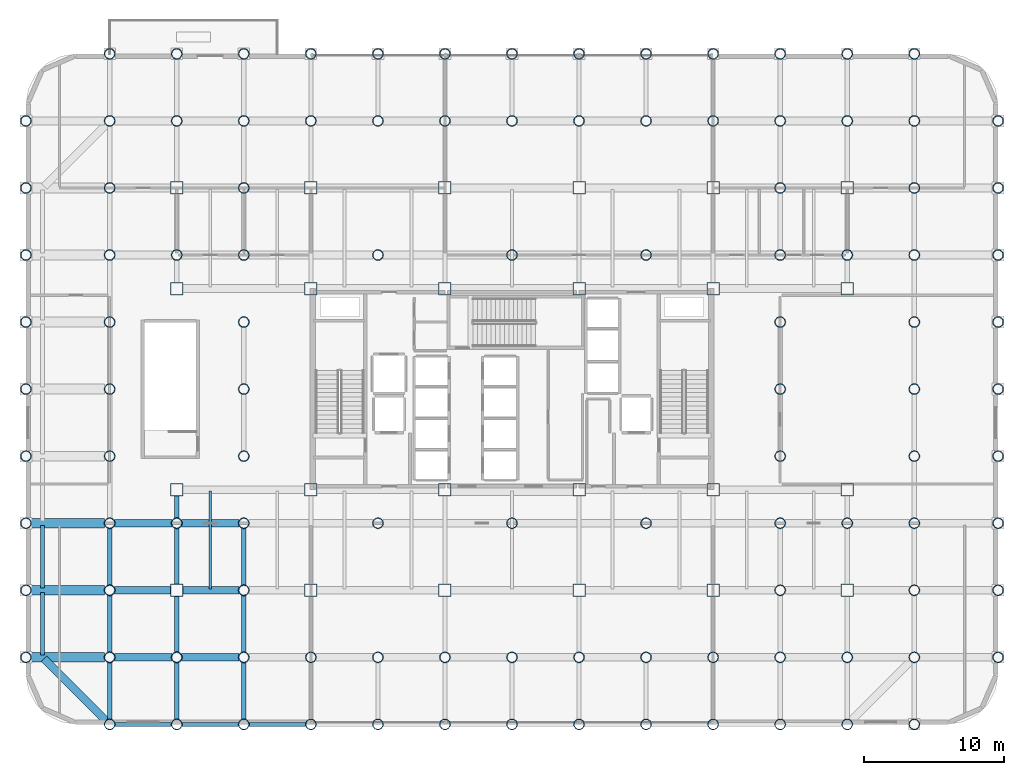
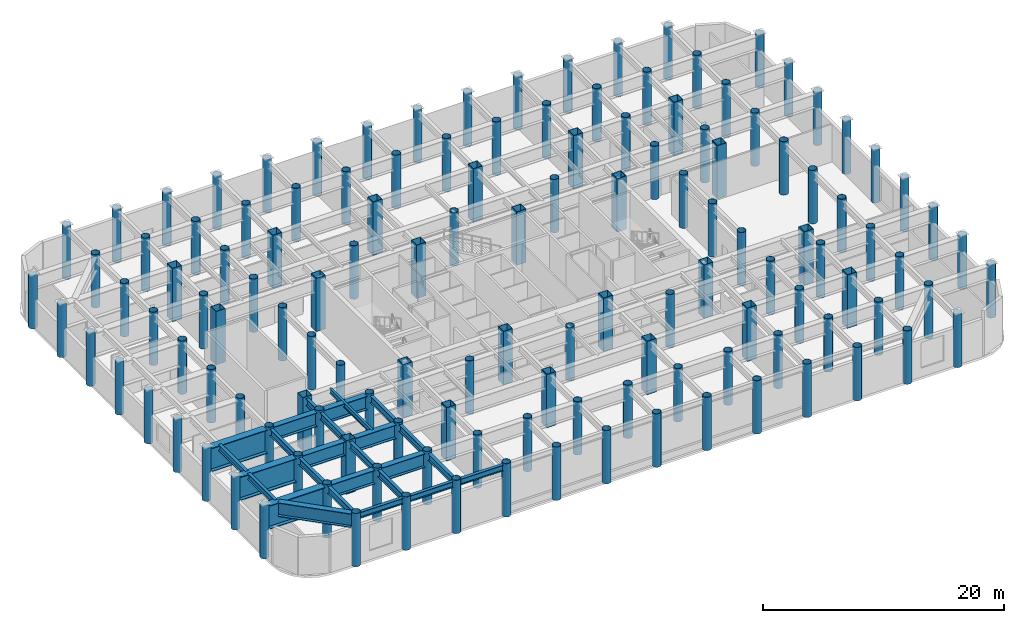
# One storey, part 1 of 20: 132 columns, 26 beams.
"""IFC4 building model written with IfcOpenShell, lengths in metres."""

import ifcopenshell
import ifcopenshell.guid

model = None  # the IFC model being written
_history = None  # IfcOwnerHistory: only IFC2X3 demands one
_inside = {}  # id of a spatial element -> (the spatial element, [elements in it])
_under = {}  # id of a project, library or spatial element -> (it, [spatial elements below it])
_declared = {}  # id of a project -> (the project, [libraries it declares])
_typed = {}  # id of a type object -> (the type object, [elements of that type])
_made_of = {}  # id of a material, layer set ... -> (it, [elements and type objects made of it])


def new_model(schema):
    """Start an empty IFC model of exactly this schema.

    Asked for "IFC4X3", IfcOpenShell would pick the latest addendum, in which some entities
    have other attributes; the version numbers below select the first issue.
    IFC2X3 requires an IfcOwnerHistory on every rooted entity: one is made here for all.
    """
    global model, _history
    if schema == "IFC4X3":
        model = ifcopenshell.file(schema_version=(4, 3, 0, 0))
    else:
        model = ifcopenshell.file(schema=schema)
    _inside.clear()
    _under.clear()
    _declared.clear()
    _typed.clear()
    _made_of.clear()
    _history = None
    if model.schema == "IFC2X3":
        org = make("IfcOrganization", Name="unknown")
        user = make(
            "IfcPersonAndOrganization",
            ThePerson=make("IfcPerson", FamilyName="unknown"),
            TheOrganization=org,
        )
        app = make(
            "IfcApplication",
            ApplicationDeveloper=org,
            Version="unknown",
            ApplicationFullName="unknown",
            ApplicationIdentifier="unknown",
        )
        _history = make(
            "IfcOwnerHistory",
            OwningUser=user,
            OwningApplication=app,
            ChangeAction="ADDED",
            CreationDate=0,
        )
    return model


def make(cls, **values):
    """One entity of the class cls with the attributes given. An attribute that is None is left unset."""
    return model.create_entity(
        cls, **{name: value for name, value in values.items() if value is not None}
    )


def rooted(cls, **values):
    """An entity with a GlobalId (a new one), such as an element, a storey or a relation."""
    return make(cls, GlobalId=ifcopenshell.guid.new(), OwnerHistory=_history, **values)


def si_unit(unit_type, name, prefix=None):
    """IfcSIUnit, for example si_unit("LENGTHUNIT", "METRE", prefix="MILLI")."""
    return make("IfcSIUnit", UnitType=unit_type, Prefix=prefix, Name=name)


def assignment(units):
    """IfcUnitAssignment: the units of a project."""
    return None if units is None else make("IfcUnitAssignment", Units=units)


def point(xyz):
    """IfcCartesianPoint."""
    return None if xyz is None else make("IfcCartesianPoint", Coordinates=xyz)


def direction(xyz):
    """IfcDirection."""
    return None if xyz is None else make("IfcDirection", DirectionRatios=xyz)


def frame(location, z_axis=None, x_axis=None):
    """IfcAxis2Placement3D, a coordinate frame: its origin and axes. An axis left out is left unset."""
    return make(
        "IfcAxis2Placement3D",
        Location=point(location),
        Axis=direction(z_axis),
        RefDirection=direction(x_axis),
    )


def frame_2d(location, x_axis=None):
    """IfcAxis2Placement2D, a coordinate frame in the plane: its origin and x axis."""
    return make(
        "IfcAxis2Placement2D", Location=point(location), RefDirection=direction(x_axis)
    )


def origin():
    """The frame at (0, 0, 0) with its axes left unset."""
    return frame((0.0, 0.0, 0.0))


def origin_2d():
    """The frame at (0, 0) in the plane with its x axis left unset."""
    return frame_2d((0.0, 0.0))


def place(relative_to, where):
    """IfcLocalPlacement: puts the frame where relative to a parent placement (None: the world)."""
    return make(
        "IfcLocalPlacement", PlacementRelTo=relative_to, RelativePlacement=where
    )


def context(
    kind, dimensions, precision=None, world=None, true_north=None, identifier=None
):
    """IfcGeometricRepresentationContext, for example the 3D "Model" context."""
    return make(
        "IfcGeometricRepresentationContext",
        ContextIdentifier=identifier,
        ContextType=kind,
        CoordinateSpaceDimension=dimensions,
        Precision=precision,
        WorldCoordinateSystem=world,
        TrueNorth=true_north,
    )


def subcontext(parent, identifier, kind, view, scale=None):
    """IfcGeometricRepresentationSubContext, for example "Body" below "Model"."""
    return make(
        "IfcGeometricRepresentationSubContext",
        ContextIdentifier=identifier,
        ContextType=kind,
        ParentContext=parent,
        TargetScale=scale,
        TargetView=view,
    )


def project(units=None, contexts=None):
    """IfcProject with its units and contexts."""
    return rooted(
        "IfcProject",
        Name="project",
        RepresentationContexts=contexts,
        UnitsInContext=assignment(units),
    )


def spatial(cls, under=None, at=None, **own):
    """A site, building, storey or space (cls), placed at a placement, below another one or the project."""
    s = rooted(cls, ObjectPlacement=at, **own)
    if under is not None:
        _under.setdefault(under.id(), (under, []))[1].append(s)
    return s


def profile(cls, at=None, kind="AREA", **sizes):
    """A parametric profile (cls). Its sizes go by their IFC names, for example OverallWidth=200.0."""
    return make(cls, ProfileType=kind, Position=at, **sizes)


def hollow_rectangle(**sizes):
    """IfcRectangleHollowProfileDef."""
    return profile("IfcRectangleHollowProfileDef", **sizes)


def hollow_circle(**sizes):
    """IfcCircleHollowProfileDef."""
    return profile("IfcCircleHollowProfileDef", **sizes)


def i_section(**sizes):
    """IfcIShapeProfileDef."""
    return profile("IfcIShapeProfileDef", **sizes)


def extrude(swept, where, along, depth):
    """IfcExtrudedAreaSolid: the profile swept, set in the frame where, extruded along a direction by depth."""
    return make(
        "IfcExtrudedAreaSolid",
        SweptArea=swept,
        Position=where,
        ExtrudedDirection=direction(along),
        Depth=depth,
    )


def shape(context_of_items, identifier, shape_type, items):
    """IfcShapeRepresentation: the items that make up one representation, for example the "Body"."""
    return make(
        "IfcShapeRepresentation",
        ContextOfItems=context_of_items,
        RepresentationIdentifier=identifier,
        RepresentationType=shape_type,
        Items=items,
    )


def material(Name=None, Category=None):
    """IfcMaterial."""
    return make("IfcMaterial", Name=Name, Category=Category)


def material_profile(
    of_material, cross_section, Name=None, Category=None, Priority=None
):
    """IfcMaterialProfile: a cross section and its material."""
    return make(
        "IfcMaterialProfile",
        Name=Name,
        Material=of_material,
        Profile=cross_section,
        Priority=Priority,
        Category=Category,
    )


def profile_set(profiles, Name=None, composite=None):
    """IfcMaterialProfileSet."""
    return make(
        "IfcMaterialProfileSet",
        Name=Name,
        MaterialProfiles=profiles,
        CompositeProfile=composite,
    )


def made_of(thing, what):
    """Note that an element or type object is made of a material, layer set ...; save() writes the relation."""
    if what is not None:
        _made_of.setdefault(what.id(), (what, []))[1].append(thing)
    return thing


def type_object(cls, material=None, **own):
    """A type object (cls), such as IfcWallType, which elements share."""
    return made_of(rooted(cls, **own), material)


def element(
    cls,
    number,
    at=None,
    inside=None,
    cuts=None,
    type_object=None,
    material=None,
    context=None,
    identifier="Body",
    shape_type=None,
    held_by="IfcProductDefinitionShape",
    body=None,
    shapes=None,
    **own,
):
    """One element of the class cls, such as IfcWall. Its Tag is "e" and its number.

    at: its placement. inside: the storey or other place that contains it. cuts: it is an
    opening in that element (IfcRelVoidsElement). A single representation is given by context,
    identifier, shape_type and body (its items); several are given by shapes. held_by: the class
    of the entity that holds the representations. save() writes the other relations.
    """
    e = rooted(cls, Tag="e%d" % number, ObjectPlacement=at, **own)
    if body is not None:
        shapes = [shape(context, identifier, shape_type, body)]
    if shapes is not None:
        e.Representation = make(held_by, Representations=shapes)
    if inside is not None:
        _inside.setdefault(inside.id(), (inside, []))[1].append(e)
    if cuts is not None:
        rooted(
            "IfcRelVoidsElement", RelatingBuildingElement=cuts, RelatedOpeningElement=e
        )
    if type_object is not None:
        _typed.setdefault(type_object.id(), (type_object, []))[1].append(e)
    return made_of(e, material)


def aggregate(whole, parts):
    """IfcRelAggregates: a whole, such as a stair, and the parts it consists of."""
    return rooted("IfcRelAggregates", RelatingObject=whole, RelatedObjects=parts)


def save(model, path):
    """Write the relations noted so far, then the file.

    IfcRelAggregates (storeys below a building ...), IfcRelContainedInSpatialStructure (elements
    in a storey), IfcRelDefinesByType, IfcRelAssociatesMaterial and IfcRelDeclares: one each for
    every whole, place, type object, material and project.
    """
    for whole, parts in _under.values():
        aggregate(whole, parts)
    for where, things in _inside.values():
        rooted(
            "IfcRelContainedInSpatialStructure",
            RelatedElements=things,
            RelatingStructure=where,
        )
    for kind, things in _typed.values():
        rooted("IfcRelDefinesByType", RelatedObjects=things, RelatingType=kind)
    for what, things in _made_of.values():
        rooted("IfcRelAssociatesMaterial", RelatedObjects=things, RelatingMaterial=what)
    for by, libraries in _declared.values():
        rooted("IfcRelDeclares", RelatingContext=by, RelatedDefinitions=libraries)
    model.write(path)


model = new_model("IFC4")

# Units and contexts
model_context = context("Model", 3, precision=1e-05, world=origin(), true_north=direction((0.0, 1.0)))
body_context = subcontext(model_context, "Body", "Model", "MODEL_VIEW")
ifc_project = project(units=[si_unit("LENGTHUNIT", "METRE"), si_unit("AREAUNIT", "SQUARE_METRE"), si_unit("VOLUMEUNIT", "CUBIC_METRE"), si_unit("PLANEANGLEUNIT", "RADIAN"), si_unit("MASSUNIT", "GRAM", prefix="KILO")], contexts=[model_context])

# Site, building, storey
site_placement = place(None, origin())
site = spatial("IfcSite", under=ifc_project, at=site_placement, CompositionType="ELEMENT")
building_placement = place(site_placement, origin())
building = spatial("IfcBuilding", under=site, at=building_placement, Name="Kallvorn Hotel Tower", CompositionType="ELEMENT")
storey_placement = place(building_placement, frame((0.0, 0.0, 24.60009765625)))
storey = spatial("IfcBuildingStorey", under=building, at=storey_placement, Name="L04", CompositionType="ELEMENT", Elevation=24.60009765625)

# Columns
ifc_material_1 = material(Name="Structural steel S355J2H", Category="steel")
ifc_material_profile_1 = material_profile(ifc_material_1, hollow_circle(Radius=0.381103515625, WallThickness=0.031982421875, at=origin_2d()), Name="CHS 762x32")
ifc_profile_set_1 = profile_set([ifc_material_profile_1], Name="Structural steel S355J2H")
column_type_1 = type_object("IfcColumnType", Name="COL_CHS_762", PredefinedType="COLUMN", material=ifc_profile_set_1)
for number, where, z_axis, x_axis, name in (
    (1, (-34.800048828125, -19.199951171875, 0.0), (0.0, 0.0, 1.0), (1.0, 0.0, 0.0), "L04 Exoskeleton Column EC01"),
    (2, (-34.800048828125, -14.39990234375, 0.0), (0.0, 0.0, 1.0), (1.0, 0.0, 0.0), "L04 Exoskeleton Column EC02"),
    (3, (-34.800048828125, -9.60009765625, 0.0), (0.0, 0.0, 1.0), (1.0, 0.0, 0.0), "L04 Exoskeleton Column EC03"),
    (4, (-34.800048828125, -4.800048828125, 0.0), (0.0, 0.0, 1.0), (1.0, 0.0, 0.0), "L04 Exoskeleton Column EC04"),
    (5, (-34.800048828125, 0.0, 0.0), (0.0, 0.0, 1.0), (1.0, 0.0, 0.0), "L04 Exoskeleton Column EC05"),
    (6, (-34.800048828125, 4.800048828125, 0.0), (0.0, 0.0, 1.0), (1.0, 0.0, 0.0), "L04 Exoskeleton Column EC06"),
    (7, (-34.800048828125, 9.60009765625, 0.0), (0.0, 0.0, 1.0), (1.0, 0.0, 0.0), "L04 Exoskeleton Column EC07"),
    (8, (-34.800048828125, 14.39990234375, 0.0), (0.0, 0.0, 1.0), (1.0, 0.0, 0.0), "L04 Exoskeleton Column EC08"),
    (9, (-34.800048828125, 19.199951171875, 0.0), (0.0, 0.0, 1.0), (1.0, 0.0, 0.0), "L04 Exoskeleton Column EC09"),
    (10, (-28.800048828125, -24.0, 0.0), (0.0, 0.0, 1.0), (1.0, 0.0, 0.0), "L04 Exoskeleton Column EC10"),
    (11, (-28.800048828125, -19.199951171875, 0.0), (0.0, 0.0, 1.0), (1.0, 0.0, 0.0), "L04 Exoskeleton Column EC11"),
    (12, (-28.800048828125, -14.39990234375, 0.0), (0.0, 0.0, 1.0), (1.0, 0.0, 0.0), "L04 Exoskeleton Column EC12"),
    (13, (-28.800048828125, -9.60009765625, 0.0), (0.0, 0.0, 1.0), (1.0, 0.0, 0.0), "L04 Exoskeleton Column EC13"),
    (14, (-28.800048828125, -4.800048828125, 0.0), (0.0, 0.0, 1.0), (1.0, 0.0, 0.0), "L04 Exoskeleton Column EC14"),
    (15, (-28.800048828125, 0.0, 0.0), (0.0, 0.0, 1.0), (1.0, 0.0, 0.0), "L04 Exoskeleton Column EC15"),
    (16, (-28.800048828125, 4.800048828125, 0.0), (0.0, 0.0, 1.0), (1.0, 0.0, 0.0), "L04 Exoskeleton Column EC16"),
    (17, (-28.800048828125, 9.60009765625, 0.0), (0.0, 0.0, 1.0), (1.0, 0.0, 0.0), "L04 Exoskeleton Column EC17"),
    (18, (-28.800048828125, 14.39990234375, 0.0), (0.0, 0.0, 1.0), (1.0, 0.0, 0.0), "L04 Exoskeleton Column EC18"),
    (19, (-28.800048828125, 19.199951171875, 0.0), (0.0, 0.0, 1.0), (1.0, 0.0, 0.0), "L04 Exoskeleton Column EC19"),
    (20, (-28.800048828125, 24.0, 0.0), (0.0, 0.0, 1.0), (1.0, 0.0, 0.0), "L04 Exoskeleton Column EC20"),
    (21, (-24.0, -24.0, 0.0), (0.0, 0.0, 1.0), (1.0, 0.0, 0.0), "L04 Exoskeleton Column EC21"),
    (22, (-24.0, -19.199951171875, 0.0), (0.0, 0.0, 1.0), (1.0, 0.0, 0.0), "L04 Exoskeleton Column EC22"),
    (23, (-24.0, -9.60009765625, 0.0), (0.0, 0.0, 1.0), (1.0, 0.0, 0.0), "L04 Exoskeleton Column EC23"),
    (24, (-24.0, 9.60009765625, 0.0), (0.0, 0.0, 1.0), (1.0, 0.0, 0.0), "L04 Exoskeleton Column EC24"),
    (25, (-24.0, 19.199951171875, 0.0), (0.0, 0.0, 1.0), (1.0, 0.0, 0.0), "L04 Exoskeleton Column EC25"),
    (26, (-24.0, 24.0, 0.0), (0.0, 0.0, 1.0), (1.0, 0.0, 0.0), "L04 Exoskeleton Column EC26"),
    (27, (-19.199951171875, -24.0, 0.0), (0.0, 0.0, 1.0), (1.0, 0.0, 0.0), "L04 Exoskeleton Column EC27"),
    (28, (-19.199951171875, -19.199951171875, 0.0), (0.0, 0.0, 1.0), (1.0, 0.0, 0.0), "L04 Exoskeleton Column EC28"),
    (29, (-19.199951171875, -14.39990234375, 0.0), (0.0, 0.0, 1.0), (1.0, 0.0, 0.0), "L04 Exoskeleton Column EC29"),
    (30, (-19.199951171875, -9.60009765625, 0.0), (0.0, 0.0, 1.0), (1.0, 0.0, 0.0), "L04 Exoskeleton Column EC30"),
    (31, (-19.199951171875, -4.800048828125, 0.0), (0.0, 0.0, 1.0), (1.0, 0.0, 0.0), "L04 Exoskeleton Column EC31"),
    (32, (-19.199951171875, 0.0, 0.0), (0.0, 0.0, 1.0), (1.0, 0.0, 0.0), "L04 Exoskeleton Column EC32"),
    (33, (-19.199951171875, 4.800048828125, 0.0), (0.0, 0.0, 1.0), (1.0, 0.0, 0.0), "L04 Exoskeleton Column EC33"),
    (34, (-19.199951171875, 9.60009765625, 0.0), (0.0, 0.0, 1.0), (1.0, 0.0, 0.0), "L04 Exoskeleton Column EC34"),
    (35, (-19.199951171875, 14.39990234375, 0.0), (0.0, 0.0, 1.0), (1.0, 0.0, 0.0), "L04 Exoskeleton Column EC35"),
    (36, (-19.199951171875, 19.199951171875, 0.0), (0.0, 0.0, 1.0), (1.0, 0.0, 0.0), "L04 Exoskeleton Column EC36"),
    (37, (-19.199951171875, 24.0, 0.0), (0.0, 0.0, 1.0), (1.0, 0.0, 0.0), "L04 Exoskeleton Column EC37"),
    (38, (-14.39990234375, -24.0, 0.0), (0.0, 0.0, 1.0), (1.0, 0.0, 0.0), "L04 Exoskeleton Column EC38"),
    (39, (-14.39990234375, -19.199951171875, 0.0), (0.0, 0.0, 1.0), (1.0, 0.0, 0.0), "L04 Exoskeleton Column EC39"),
    (40, (-14.39990234375, 19.199951171875, 0.0), (0.0, 0.0, 1.0), (1.0, 0.0, 0.0), "L04 Exoskeleton Column EC40"),
    (41, (-14.39990234375, 24.0, 0.0), (0.0, 0.0, 1.0), (1.0, 0.0, 0.0), "L04 Exoskeleton Column EC41"),
    (42, (-9.60009765625, -24.0, 0.0), (0.0, 0.0, 1.0), (1.0, 0.0, 0.0), "L04 Exoskeleton Column EC42"),
    (43, (-9.60009765625, -19.199951171875, 0.0), (0.0, 0.0, 1.0), (1.0, 0.0, 0.0), "L04 Exoskeleton Column EC43"),
    (44, (-9.60009765625, -9.60009765625, 0.0), (0.0, 0.0, 1.0), (1.0, 0.0, 0.0), "L04 Exoskeleton Column EC44"),
    (45, (-9.60009765625, 9.60009765625, 0.0), (0.0, 0.0, 1.0), (1.0, 0.0, 0.0), "L04 Exoskeleton Column EC45"),
    (46, (-9.60009765625, 19.199951171875, 0.0), (0.0, 0.0, 1.0), (1.0, 0.0, 0.0), "L04 Exoskeleton Column EC46"),
    (47, (-9.60009765625, 24.0, 0.0), (0.0, 0.0, 1.0), (1.0, 0.0, 0.0), "L04 Exoskeleton Column EC47"),
    (48, (-4.800048828125, -24.0, 0.0), (0.0, 0.0, 1.0), (1.0, 0.0, 0.0), "L04 Exoskeleton Column EC48"),
    (49, (-4.800048828125, -19.199951171875, 0.0), (0.0, 0.0, 1.0), (1.0, 0.0, 0.0), "L04 Exoskeleton Column EC49"),
    (50, (-4.800048828125, 19.199951171875, 0.0), (0.0, 0.0, 1.0), (1.0, 0.0, 0.0), "L04 Exoskeleton Column EC50"),
    (51, (-4.800048828125, 24.0, 0.0), (0.0, 0.0, 1.0), (1.0, 0.0, 0.0), "L04 Exoskeleton Column EC51"),
    (52, (0.0, -24.0, 0.0), (0.0, 0.0, 1.0), (1.0, 0.0, 0.0), "L04 Exoskeleton Column EC52"),
    (53, (0.0, -19.199951171875, 0.0), (0.0, 0.0, 1.0), (1.0, 0.0, 0.0), "L04 Exoskeleton Column EC53"),
    (54, (0.0, -9.60009765625, 0.0), (0.0, 0.0, 1.0), (1.0, 0.0, 0.0), "L04 Exoskeleton Column EC54"),
    (55, (0.0, 9.60009765625, 0.0), (0.0, 0.0, 1.0), (1.0, 0.0, 0.0), "L04 Exoskeleton Column EC55"),
    (56, (0.0, 19.199951171875, 0.0), (0.0, 0.0, 1.0), (1.0, 0.0, 0.0), "L04 Exoskeleton Column EC56"),
    (57, (0.0, 24.0, 0.0), (0.0, 0.0, 1.0), (1.0, 0.0, 0.0), "L04 Exoskeleton Column EC57"),
    (58, (4.800048828125, -24.0, 0.0), (0.0, 0.0, 1.0), (1.0, 0.0, 0.0), "L04 Exoskeleton Column EC58"),
    (59, (4.800048828125, -19.199951171875, 0.0), (0.0, 0.0, 1.0), (1.0, 0.0, 0.0), "L04 Exoskeleton Column EC59"),
    (60, (4.800048828125, 19.199951171875, 0.0), (0.0, 0.0, 1.0), (1.0, 0.0, 0.0), "L04 Exoskeleton Column EC60"),
    (61, (4.800048828125, 24.0, 0.0), (0.0, 0.0, 1.0), (1.0, 0.0, 0.0), "L04 Exoskeleton Column EC61"),
    (62, (9.60009765625, -24.0, 0.0), (0.0, 0.0, 1.0), (1.0, 0.0, 0.0), "L04 Exoskeleton Column EC62"),
    (63, (9.60009765625, -19.199951171875, 0.0), (0.0, 0.0, 1.0), (1.0, 0.0, 0.0), "L04 Exoskeleton Column EC63"),
    (64, (9.60009765625, -9.60009765625, 0.0), (0.0, 0.0, 1.0), (1.0, 0.0, 0.0), "L04 Exoskeleton Column EC64"),
    (65, (9.60009765625, 9.60009765625, 0.0), (0.0, 0.0, 1.0), (1.0, 0.0, 0.0), "L04 Exoskeleton Column EC65"),
    (66, (9.60009765625, 19.199951171875, 0.0), (0.0, 0.0, 1.0), (1.0, 0.0, 0.0), "L04 Exoskeleton Column EC66"),
    (67, (9.60009765625, 24.0, 0.0), (0.0, 0.0, 1.0), (1.0, 0.0, 0.0), "L04 Exoskeleton Column EC67"),
    (68, (14.39990234375, -24.0, 0.0), (0.0, 0.0, 1.0), (1.0, 0.0, 0.0), "L04 Exoskeleton Column EC68"),
    (69, (14.39990234375, -19.199951171875, 0.0), (0.0, 0.0, 1.0), (1.0, 0.0, 0.0), "L04 Exoskeleton Column EC69"),
    (70, (14.39990234375, 19.199951171875, 0.0), (0.0, 0.0, 1.0), (1.0, 0.0, 0.0), "L04 Exoskeleton Column EC70"),
    (71, (14.39990234375, 24.0, 0.0), (0.0, 0.0, 1.0), (1.0, 0.0, 0.0), "L04 Exoskeleton Column EC71"),
    (72, (19.199951171875, -24.0, 0.0), (0.0, 0.0, 1.0), (1.0, 0.0, 0.0), "L04 Exoskeleton Column EC72"),
    (73, (19.199951171875, -19.199951171875, 0.0), (0.0, 0.0, 1.0), (1.0, 0.0, 0.0), "L04 Exoskeleton Column EC73"),
    (74, (19.199951171875, -14.39990234375, 0.0), (0.0, 0.0, 1.0), (1.0, 0.0, 0.0), "L04 Exoskeleton Column EC74"),
    (75, (19.199951171875, -9.60009765625, 0.0), (0.0, 0.0, 1.0), (1.0, 0.0, 0.0), "L04 Exoskeleton Column EC75"),
    (76, (19.199951171875, -4.800048828125, 0.0), (0.0, 0.0, 1.0), (1.0, 0.0, 0.0), "L04 Exoskeleton Column EC76"),
    (77, (19.199951171875, 0.0, 0.0), (0.0, 0.0, 1.0), (1.0, 0.0, 0.0), "L04 Exoskeleton Column EC77"),
    (78, (19.199951171875, 4.800048828125, 0.0), (0.0, 0.0, 1.0), (1.0, 0.0, 0.0), "L04 Exoskeleton Column EC78"),
    (79, (19.199951171875, 9.60009765625, 0.0), (0.0, 0.0, 1.0), (1.0, 0.0, 0.0), "L04 Exoskeleton Column EC79"),
    (80, (19.199951171875, 14.39990234375, 0.0), (0.0, 0.0, 1.0), (1.0, 0.0, 0.0), "L04 Exoskeleton Column EC80"),
    (81, (19.199951171875, 19.199951171875, 0.0), (0.0, 0.0, 1.0), (1.0, 0.0, 0.0), "L04 Exoskeleton Column EC81"),
    (82, (19.199951171875, 24.0, 0.0), (0.0, 0.0, 1.0), (1.0, 0.0, 0.0), "L04 Exoskeleton Column EC82"),
    (83, (24.0, -24.0, 0.0), (0.0, 0.0, 1.0), (1.0, 0.0, 0.0), "L04 Exoskeleton Column EC83"),
    (84, (24.0, -19.199951171875, 0.0), (0.0, 0.0, 1.0), (1.0, 0.0, 0.0), "L04 Exoskeleton Column EC84"),
    (85, (24.0, -9.60009765625, 0.0), (0.0, 0.0, 1.0), (1.0, 0.0, 0.0), "L04 Exoskeleton Column EC85"),
    (86, (24.0, 9.60009765625, 0.0), (0.0, 0.0, 1.0), (1.0, 0.0, 0.0), "L04 Exoskeleton Column EC86"),
    (87, (24.0, 19.199951171875, 0.0), (0.0, 0.0, 1.0), (1.0, 0.0, 0.0), "L04 Exoskeleton Column EC87"),
    (88, (24.0, 24.0, 0.0), (0.0, 0.0, 1.0), (1.0, 0.0, 0.0), "L04 Exoskeleton Column EC88"),
    (89, (28.800048828125, -24.0, 0.0), (0.0, 0.0, 1.0), (1.0, 0.0, 0.0), "L04 Exoskeleton Column EC89"),
    (90, (28.800048828125, -19.199951171875, 0.0), (0.0, 0.0, 1.0), (1.0, 0.0, 0.0), "L04 Exoskeleton Column EC90"),
    (91, (28.800048828125, -14.39990234375, 0.0), (0.0, 0.0, 1.0), (1.0, 0.0, 0.0), "L04 Exoskeleton Column EC91"),
    (92, (28.800048828125, -9.60009765625, 0.0), (0.0, 0.0, 1.0), (1.0, 0.0, 0.0), "L04 Exoskeleton Column EC92"),
    (93, (28.800048828125, -4.800048828125, 0.0), (0.0, 0.0, 1.0), (1.0, 0.0, 0.0), "L04 Exoskeleton Column EC93"),
    (94, (28.800048828125, 0.0, 0.0), (0.0, 0.0, 1.0), (1.0, 0.0, 0.0), "L04 Exoskeleton Column EC94"),
    (95, (28.800048828125, 4.800048828125, 0.0), (0.0, 0.0, 1.0), (1.0, 0.0, 0.0), "L04 Exoskeleton Column EC95"),
    (96, (28.800048828125, 9.60009765625, 0.0), (0.0, 0.0, 1.0), (1.0, 0.0, 0.0), "L04 Exoskeleton Column EC96"),
    (97, (28.800048828125, 14.39990234375, 0.0), (0.0, 0.0, 1.0), (1.0, 0.0, 0.0), "L04 Exoskeleton Column EC97"),
    (98, (28.800048828125, 19.199951171875, 0.0), (0.0, 0.0, 1.0), (1.0, 0.0, 0.0), "L04 Exoskeleton Column EC98"),
    (99, (28.800048828125, 24.0, 0.0), (0.0, 0.0, 1.0), (1.0, 0.0, 0.0), "L04 Exoskeleton Column EC99"),
    (100, (34.800048828125, -19.199951171875, 0.0), (0.0, 0.0, 1.0), (1.0, 0.0, 0.0), "L04 Exoskeleton Column EC100"),
    (101, (34.800048828125, -14.39990234375, 0.0), (0.0, 0.0, 1.0), (1.0, 0.0, 0.0), "L04 Exoskeleton Column EC101"),
    (102, (34.800048828125, -9.60009765625, 0.0), (0.0, 0.0, 1.0), (1.0, 0.0, 0.0), "L04 Exoskeleton Column EC102"),
    (103, (34.800048828125, -4.800048828125, 0.0), (0.0, 0.0, 1.0), (1.0, 0.0, 0.0), "L04 Exoskeleton Column EC103"),
    (104, (34.800048828125, 0.0, 0.0), (0.0, 0.0, 1.0), (1.0, 0.0, 0.0), "L04 Exoskeleton Column EC104"),
    (105, (34.800048828125, 4.800048828125, 0.0), (0.0, 0.0, 1.0), (1.0, 0.0, 0.0), "L04 Exoskeleton Column EC105"),
    (106, (34.800048828125, 9.60009765625, 0.0), (0.0, 0.0, 1.0), (1.0, 0.0, 0.0), "L04 Exoskeleton Column EC106"),
    (107, (34.800048828125, 14.39990234375, 0.0), (0.0, 0.0, 1.0), (1.0, 0.0, 0.0), "L04 Exoskeleton Column EC107"),
    (108, (34.800048828125, 19.199951171875, 0.0), (0.0, 0.0, 1.0), (1.0, 0.0, 0.0), "L04 Exoskeleton Column EC108"),
):
    element("IfcColumn", number, at=place(storey_placement, frame(where, z_axis=z_axis, x_axis=x_axis)), inside=storey, type_object=column_type_1, Name=name, PredefinedType="COLUMN", context=body_context, shape_type="SweptSolid", body=[
        extrude(hollow_circle(Radius=0.381103515625, WallThickness=0.031982421875, at=origin_2d()), origin(), (0.0, 0.0, 1.0), 5.39990234375),
    ])
ifc_material_2 = material(Name="Structural steel S355J2H", Category="steel")
ifc_material_profile_2 = material_profile(ifc_material_2, hollow_rectangle(XDim=0.89990234375, YDim=0.89990234375, WallThickness=0.0400390625, at=origin_2d()), Name="RHS 900x900x40")
ifc_profile_set_2 = profile_set([ifc_material_profile_2], Name="Structural steel S355J2H")
column_type_2 = type_object("IfcColumnType", Name="COL_RHS_900", PredefinedType="COLUMN", material=ifc_profile_set_2)
for number, where, z_axis, x_axis, name in (
    (109, (-24.0, -14.39990234375, 0.0), (0.0, 0.0, 1.0), (1.0, 0.0, 0.0), "L04 Inner Column IC01"),
    (110, (-24.0, -7.199951171875, 0.0), (0.0, 0.0, 1.0), (1.0, 0.0, 0.0), "L04 Inner Column IC02"),
    (111, (-24.0, 7.199951171875, 0.0), (0.0, 0.0, 1.0), (1.0, 0.0, 0.0), "L04 Inner Column IC03"),
    (112, (-24.0, 14.39990234375, 0.0), (0.0, 0.0, 1.0), (1.0, 0.0, 0.0), "L04 Inner Column IC04"),
    (113, (-14.39990234375, -14.39990234375, 0.0), (0.0, 0.0, 1.0), (1.0, 0.0, 0.0), "L04 Inner Column IC05"),
    (114, (-14.39990234375, -7.199951171875, 0.0), (0.0, 0.0, 1.0), (1.0, 0.0, 0.0), "L04 Inner Column IC06"),
    (115, (-14.39990234375, 7.199951171875, 0.0), (0.0, 0.0, 1.0), (1.0, 0.0, 0.0), "L04 Inner Column IC07"),
    (116, (-14.39990234375, 14.39990234375, 0.0), (0.0, 0.0, 1.0), (1.0, 0.0, 0.0), "L04 Inner Column IC08"),
    (117, (-4.800048828125, -14.39990234375, 0.0), (0.0, 0.0, 1.0), (1.0, 0.0, 0.0), "L04 Inner Column IC09"),
    (118, (-4.800048828125, -7.199951171875, 0.0), (0.0, 0.0, 1.0), (1.0, 0.0, 0.0), "L04 Inner Column IC10"),
    (119, (-4.800048828125, 7.199951171875, 0.0), (0.0, 0.0, 1.0), (1.0, 0.0, 0.0), "L04 Inner Column IC11"),
    (120, (-4.800048828125, 14.39990234375, 0.0), (0.0, 0.0, 1.0), (1.0, 0.0, 0.0), "L04 Inner Column IC12"),
    (121, (4.800048828125, -14.39990234375, 0.0), (0.0, 0.0, 1.0), (1.0, 0.0, 0.0), "L04 Inner Column IC13"),
    (122, (4.800048828125, -7.199951171875, 0.0), (0.0, 0.0, 1.0), (1.0, 0.0, 0.0), "L04 Inner Column IC14"),
    (123, (4.800048828125, 7.199951171875, 0.0), (0.0, 0.0, 1.0), (1.0, 0.0, 0.0), "L04 Inner Column IC15"),
    (124, (4.800048828125, 14.39990234375, 0.0), (0.0, 0.0, 1.0), (1.0, 0.0, 0.0), "L04 Inner Column IC16"),
    (125, (14.39990234375, -14.39990234375, 0.0), (0.0, 0.0, 1.0), (1.0, 0.0, 0.0), "L04 Inner Column IC17"),
    (126, (14.39990234375, -7.199951171875, 0.0), (0.0, 0.0, 1.0), (1.0, 0.0, 0.0), "L04 Inner Column IC18"),
    (127, (14.39990234375, 7.199951171875, 0.0), (0.0, 0.0, 1.0), (1.0, 0.0, 0.0), "L04 Inner Column IC19"),
    (128, (14.39990234375, 14.39990234375, 0.0), (0.0, 0.0, 1.0), (1.0, 0.0, 0.0), "L04 Inner Column IC20"),
    (129, (24.0, -14.39990234375, 0.0), (0.0, 0.0, 1.0), (1.0, 0.0, 0.0), "L04 Inner Column IC21"),
    (130, (24.0, -7.199951171875, 0.0), (0.0, 0.0, 1.0), (1.0, 0.0, 0.0), "L04 Inner Column IC22"),
    (131, (24.0, 7.199951171875, 0.0), (0.0, 0.0, 1.0), (1.0, 0.0, 0.0), "L04 Inner Column IC23"),
    (132, (24.0, 14.39990234375, 0.0), (0.0, 0.0, 1.0), (1.0, 0.0, 0.0), "L04 Inner Column IC24"),
):
    element("IfcColumn", number, at=place(storey_placement, frame(where, z_axis=z_axis, x_axis=x_axis)), inside=storey, type_object=column_type_2, Name=name, PredefinedType="COLUMN", context=body_context, shape_type="SweptSolid", body=[
        extrude(hollow_rectangle(XDim=0.89990234375, YDim=0.89990234375, WallThickness=0.0400390625, at=origin_2d()), origin(), (0.0, 0.0, 1.0), 5.39990234375),
    ])

# Beams
ifc_material_3 = material(Name="Structural steel S355JR", Category="steel")
ifc_material_profile_3 = material_profile(ifc_material_3, i_section(OverallWidth=0.300048828125, OverallDepth=0.60009765625, WebThickness=0.015380859375, FlangeThickness=0.030029296875, at=origin_2d()), Name="HE 600 B")
ifc_profile_set_3 = profile_set([ifc_material_profile_3], Name="Structural steel S355JR")
beam_type_1 = type_object("IfcBeamType", Name="BM_HE600B", PredefinedType="SPANDREL", material=ifc_profile_set_3)
for number, where, z_axis, x_axis, name in (
    (133, (-28.428955078125, -24.0, 4.919921875), (1.0, 0.0, 0.0), (0.0, 1.0, 0.0), "L05 Perimeter Spandrel 180"),
    (134, (-23.62890625, -24.0, 4.919921875), (1.0, 0.0, 0.0), (0.0, 1.0, 0.0), "L05 Perimeter Spandrel 181"),
):
    element("IfcBeam", number, at=place(storey_placement, frame(where, z_axis=z_axis, x_axis=x_axis)), inside=storey, type_object=beam_type_1, Name=name, PredefinedType="SPANDREL", context=body_context, shape_type="SweptSolid", body=[
        extrude(i_section(OverallWidth=0.300048828125, OverallDepth=0.60009765625, WebThickness=0.015380859375, FlangeThickness=0.030029296875, at=origin_2d()), origin(), (0.0, 0.0, 1.0), 4.057861328125),
    ])
beam_1_placement = place(storey_placement, frame((-18.8291015625, -24.0, 4.919921875), z_axis=(1.0, 0.0, 0.0), x_axis=(0.0, 1.0, 0.0)))
element("IfcBeam", 135, at=beam_1_placement, inside=storey, type_object=beam_type_1, Name="L05 Perimeter Spandrel 182", PredefinedType="SPANDREL", context=body_context, shape_type="SweptSolid", body=[
    extrude(i_section(OverallWidth=0.300048828125, OverallDepth=0.60009765625, WebThickness=0.015380859375, FlangeThickness=0.030029296875, at=origin_2d()), origin(), (0.0, 0.0, 1.0), 4.05810546875),
])
for number, where, z_axis, x_axis, name in (
    (136, (-33.60009765625, -19.050048828125, 4.919921875), (0.0, 1.0, 0.0), (-1.0, 0.0, 0.0), "L05 Perimeter Spandrel 203"),
    (137, (-33.60009765625, -14.25, 4.919921875), (0.0, 1.0, 0.0), (-1.0, 0.0, 0.0), "L05 Perimeter Spandrel 204"),
):
    element("IfcBeam", number, at=place(storey_placement, frame(where, z_axis=z_axis, x_axis=x_axis)), inside=storey, type_object=beam_type_1, Name=name, PredefinedType="SPANDREL", context=body_context, shape_type="SweptSolid", body=[
        extrude(i_section(OverallWidth=0.300048828125, OverallDepth=0.60009765625, WebThickness=0.015380859375, FlangeThickness=0.030029296875, at=origin_2d()), origin(), (0.0, 0.0, 1.0), 4.5),
    ])
ifc_material_4 = material(Name="Structural steel S355JR", Category="steel")
ifc_material_profile_4 = material_profile(ifc_material_4, i_section(OverallWidth=0.300048828125, OverallDepth=0.699951171875, WebThickness=0.01708984375, FlangeThickness=0.031982421875, at=origin_2d()), Name="HE 700 B")
ifc_profile_set_4 = profile_set([ifc_material_profile_4], Name="Structural steel S355JR")
beam_type_2 = type_object("IfcBeamType", Name="BM_HE700B", PredefinedType="BEAM", material=ifc_profile_set_4)
beam_2_placement = place(storey_placement, frame((-28.800048828125, -23.64404296875, 4.869873046875), z_axis=(0.0, 1.0, 0.0), x_axis=(-1.0, 0.0, 0.0)))
element("IfcBeam", 138, at=beam_2_placement, inside=storey, type_object=beam_type_2, Name="L05 Primary Y-Girder 88", PredefinedType="BEAM", context=body_context, shape_type="SweptSolid", body=[
    extrude(i_section(OverallWidth=0.300048828125, OverallDepth=0.699951171875, WebThickness=0.01708984375, FlangeThickness=0.031982421875, at=origin_2d()), origin(), (0.0, 0.0, 1.0), 4.088134765625),
])
for number, where, z_axis, x_axis, name in (
    (139, (-28.800048828125, -18.843994140625, 4.869873046875), (0.0, 1.0, 0.0), (-1.0, 0.0, 0.0), "L05 Primary Y-Girder 89"),
    (140, (-28.800048828125, -14.0439453125, 4.869873046875), (0.0, 1.0, 0.0), (-1.0, 0.0, 0.0), "L05 Primary Y-Girder 90"),
):
    element("IfcBeam", number, at=place(storey_placement, frame(where, z_axis=z_axis, x_axis=x_axis)), inside=storey, type_object=beam_type_2, Name=name, PredefinedType="BEAM", context=body_context, shape_type="SweptSolid", body=[
        extrude(i_section(OverallWidth=0.300048828125, OverallDepth=0.699951171875, WebThickness=0.01708984375, FlangeThickness=0.031982421875, at=origin_2d()), origin(), (0.0, 0.0, 1.0), 4.087890625),
    ])
beam_3_placement = place(storey_placement, frame((-24.0, -23.64404296875, 4.869873046875), z_axis=(0.0, 1.0, 0.0), x_axis=(-1.0, 0.0, 0.0)))
element("IfcBeam", 141, at=beam_3_placement, inside=storey, type_object=beam_type_2, Name="L05 Primary Y-Girder 98", PredefinedType="BEAM", context=body_context, shape_type="SweptSolid", body=[
    extrude(i_section(OverallWidth=0.300048828125, OverallDepth=0.699951171875, WebThickness=0.01708984375, FlangeThickness=0.031982421875, at=origin_2d()), origin(), (0.0, 0.0, 1.0), 4.088134765625),
])
for number, where, z_axis, x_axis, name in (
    (142, (-24.0, -18.843994140625, 4.869873046875), (0.0, 1.0, 0.0), (-1.0, 0.0, 0.0), "L05 Primary Y-Girder 99"),
    (143, (-24.0, -13.97509765625, 4.869873046875), (0.0, 1.0, 0.0), (-1.0, 0.0, 0.0), "L05 Primary Y-Girder 100"),
):
    element("IfcBeam", number, at=place(storey_placement, frame(where, z_axis=z_axis, x_axis=x_axis)), inside=storey, type_object=beam_type_2, Name=name, PredefinedType="BEAM", context=body_context, shape_type="SweptSolid", body=[
        extrude(i_section(OverallWidth=0.300048828125, OverallDepth=0.699951171875, WebThickness=0.01708984375, FlangeThickness=0.031982421875, at=origin_2d()), origin(), (0.0, 0.0, 1.0), 4.01904296875),
    ])
beam_4_placement = place(storey_placement, frame((-24.0, -9.243896484375, 4.869873046875), z_axis=(0.0, 1.0, 0.0), x_axis=(-1.0, 0.0, 0.0)))
element("IfcBeam", 144, at=beam_4_placement, inside=storey, type_object=beam_type_2, Name="L05 Primary Y-Girder 101", PredefinedType="BEAM", context=body_context, shape_type="SweptSolid", body=[
    extrude(i_section(OverallWidth=0.300048828125, OverallDepth=0.699951171875, WebThickness=0.01708984375, FlangeThickness=0.031982421875, at=origin_2d()), origin(), (0.0, 0.0, 1.0), 1.618896484375),
])
beam_5_placement = place(storey_placement, frame((-19.199951171875, -23.64404296875, 4.869873046875), z_axis=(0.0, 1.0, 0.0), x_axis=(-1.0, 0.0, 0.0)))
element("IfcBeam", 145, at=beam_5_placement, inside=storey, type_object=beam_type_2, Name="L05 Primary Y-Girder 106", PredefinedType="BEAM", context=body_context, shape_type="SweptSolid", body=[
    extrude(i_section(OverallWidth=0.300048828125, OverallDepth=0.699951171875, WebThickness=0.01708984375, FlangeThickness=0.031982421875, at=origin_2d()), origin(), (0.0, 0.0, 1.0), 4.088134765625),
])
for number, where, z_axis, x_axis, name in (
    (146, (-19.199951171875, -18.843994140625, 4.869873046875), (0.0, 1.0, 0.0), (-1.0, 0.0, 0.0), "L05 Primary Y-Girder 107"),
    (147, (-19.199951171875, -14.0439453125, 4.869873046875), (0.0, 1.0, 0.0), (-1.0, 0.0, 0.0), "L05 Primary Y-Girder 108"),
):
    element("IfcBeam", number, at=place(storey_placement, frame(where, z_axis=z_axis, x_axis=x_axis)), inside=storey, type_object=beam_type_2, Name=name, PredefinedType="BEAM", context=body_context, shape_type="SweptSolid", body=[
        extrude(i_section(OverallWidth=0.300048828125, OverallDepth=0.699951171875, WebThickness=0.01708984375, FlangeThickness=0.031982421875, at=origin_2d()), origin(), (0.0, 0.0, 1.0), 4.087890625),
    ])
ifc_material_5 = material(Name="Structural steel S355JR", Category="steel")
ifc_material_profile_5 = material_profile(ifc_material_5, i_section(OverallWidth=0.199951171875, OverallDepth=0.5, WebThickness=0.01025390625, FlangeThickness=0.01611328125, at=origin_2d()), Name="IPE 500")
ifc_profile_set_5 = profile_set([ifc_material_profile_5], Name="Structural steel S355JR")
beam_type_3 = type_object("IfcBeamType", Name="BM_IPE500", PredefinedType="JOIST", material=ifc_profile_set_5)
beam_6_placement = place(storey_placement, frame((-21.60009765625, -14.300048828125, 4.969970703125), z_axis=(0.0, 1.0, 0.0), x_axis=(-1.0, 0.0, 0.0)))
element("IfcBeam", 148, at=beam_6_placement, inside=storey, type_object=beam_type_3, Name="L05 Secondary Composite Joist 221", PredefinedType="JOIST", context=body_context, shape_type="SweptSolid", body=[
    extrude(i_section(OverallWidth=0.199951171875, OverallDepth=0.5, WebThickness=0.01025390625, FlangeThickness=0.01611328125, at=origin_2d()), origin(), (0.0, 0.0, 1.0), 7.0),
])
ifc_material_6 = material(Name="Structural steel S355JR", Category="steel")
ifc_material_profile_6 = material_profile(ifc_material_6, i_section(OverallWidth=0.550048828125, OverallDepth=1.39990234375, WebThickness=0.02490234375, FlangeThickness=0.044921875, at=origin_2d()), Name="PG 1400x550x25x45")
ifc_profile_set_6 = profile_set([ifc_material_profile_6], Name="Structural steel S355JR")
beam_type_4 = type_object("IfcBeamType", Name="BM_PG_1400", PredefinedType="BEAM", material=ifc_profile_set_6)
for number, where, z_axis, x_axis, name in (
    (149, (-28.444091796875, -19.199951171875, 4.52001953125), (1.0, 0.0, 0.0), (0.0, 1.0, 0.0), "L05 Primary X-Girder 10"),
    (150, (-23.64404296875, -19.199951171875, 4.52001953125), (1.0, 0.0, 0.0), (0.0, 1.0, 0.0), "L05 Primary X-Girder 11"),
):
    element("IfcBeam", number, at=place(storey_placement, frame(where, z_axis=z_axis, x_axis=x_axis)), inside=storey, type_object=beam_type_4, Name=name, PredefinedType="BEAM", context=body_context, shape_type="SweptSolid", body=[
        extrude(i_section(OverallWidth=0.550048828125, OverallDepth=1.39990234375, WebThickness=0.02490234375, FlangeThickness=0.044921875, at=origin_2d()), origin(), (0.0, 0.0, 1.0), 4.088134765625),
    ])
for number, where, z_axis, x_axis, name in (
    (151, (-28.444091796875, -14.39990234375, 4.52001953125), (1.0, 0.0, 0.0), (0.0, 1.0, 0.0), "L05 Primary X-Girder 24"),
    (152, (-23.574951171875, -14.39990234375, 4.52001953125), (1.0, 0.0, 0.0), (0.0, 1.0, 0.0), "L05 Primary X-Girder 25"),
):
    element("IfcBeam", number, at=place(storey_placement, frame(where, z_axis=z_axis, x_axis=x_axis)), inside=storey, type_object=beam_type_4, Name=name, PredefinedType="BEAM", context=body_context, shape_type="SweptSolid", body=[
        extrude(i_section(OverallWidth=0.550048828125, OverallDepth=1.39990234375, WebThickness=0.02490234375, FlangeThickness=0.044921875, at=origin_2d()), origin(), (0.0, 0.0, 1.0), 4.01904296875),
    ])
for number, where, z_axis, x_axis, name in (
    (153, (-28.444091796875, -9.60009765625, 4.52001953125), (1.0, 0.0, 0.0), (0.0, 1.0, 0.0), "L05 Primary X-Girder 35"),
    (154, (-23.64404296875, -9.60009765625, 4.52001953125), (1.0, 0.0, 0.0), (0.0, 1.0, 0.0), "L05 Primary X-Girder 36"),
):
    element("IfcBeam", number, at=place(storey_placement, frame(where, z_axis=z_axis, x_axis=x_axis)), inside=storey, type_object=beam_type_4, Name=name, PredefinedType="BEAM", context=body_context, shape_type="SweptSolid", body=[
        extrude(i_section(OverallWidth=0.550048828125, OverallDepth=1.39990234375, WebThickness=0.02490234375, FlangeThickness=0.044921875, at=origin_2d()), origin(), (0.0, 0.0, 1.0), 4.088134765625),
    ])
beam_7_placement = place(storey_placement, frame((-33.493896484375, -19.30615234375, 4.52001953125), z_axis=(0.707106781187, -0.707106781187, 0.0), x_axis=(0.707106781187, 0.707106781187, 0.0)))
element("IfcBeam", 155, at=beam_7_placement, inside=storey, type_object=beam_type_4, Name="L05 Rounded Corner Tie Beam 218", PredefinedType="BEAM", context=body_context, shape_type="SweptSolid", body=[
    extrude(i_section(OverallWidth=0.550048828125, OverallDepth=1.39990234375, WebThickness=0.02490234375, FlangeThickness=0.044921875, at=origin_2d()), origin(), (0.0, 0.0, 1.0), 6.267333984375),
])
ifc_material_7 = material(Name="Structural steel S355JR", Category="steel")
ifc_material_profile_7 = material_profile(ifc_material_7, i_section(OverallWidth=0.699951171875, OverallDepth=2.39990234375, WebThickness=0.031982421875, FlangeThickness=0.06005859375, at=origin_2d()), Name="PG 2400x700x32x60")
ifc_profile_set_7 = profile_set([ifc_material_profile_7], Name="Structural steel S355JR")
beam_type_5 = type_object("IfcBeamType", Name="BM_PG_2400", PredefinedType="BEAM", material=ifc_profile_set_7)
for number, where, z_axis, x_axis, name in (
    (156, (-34.428955078125, -19.199951171875, 4.02001953125), (1.0, 0.0, 0.0), (0.0, 1.0, 0.0), "L05 Setback Transfer Girder 01"),
    (157, (-34.428955078125, -14.39990234375, 4.02001953125), (1.0, 0.0, 0.0), (0.0, 1.0, 0.0), "L05 Setback Transfer Girder 02"),
    (158, (-34.428955078125, -9.60009765625, 4.02001953125), (1.0, 0.0, 0.0), (0.0, 1.0, 0.0), "L05 Setback Transfer Girder 03"),
):
    element("IfcBeam", number, at=place(storey_placement, frame(where, z_axis=z_axis, x_axis=x_axis)), inside=storey, type_object=beam_type_5, Name=name, PredefinedType="BEAM", context=body_context, shape_type="SweptSolid", body=[
        extrude(i_section(OverallWidth=0.699951171875, OverallDepth=2.39990234375, WebThickness=0.031982421875, FlangeThickness=0.06005859375, at=origin_2d()), origin(), (0.0, 0.0, 1.0), 5.258056640625),
    ])

save(model, "model.ifc")
